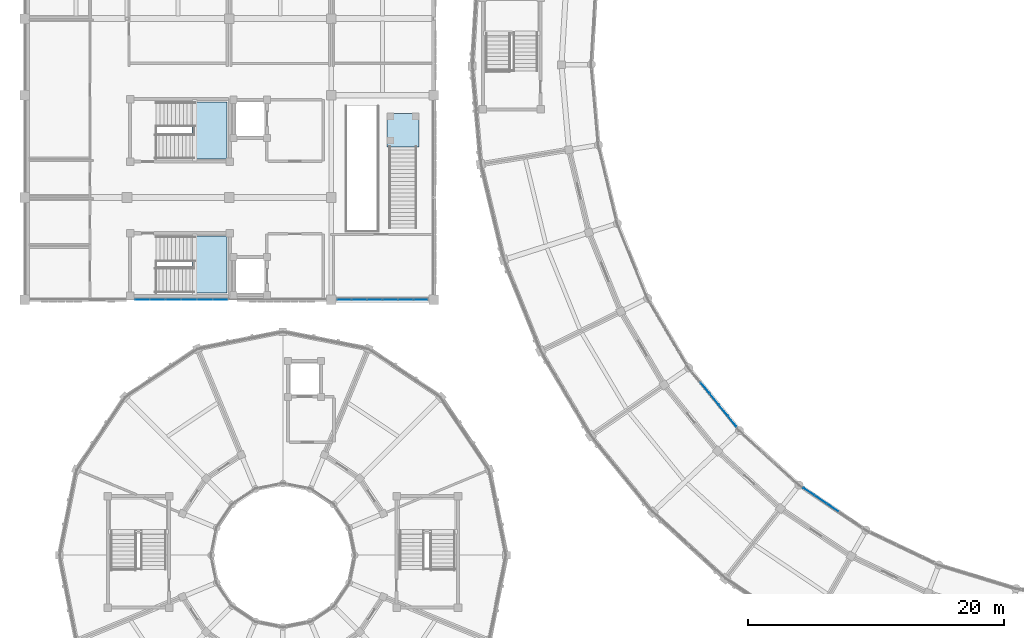
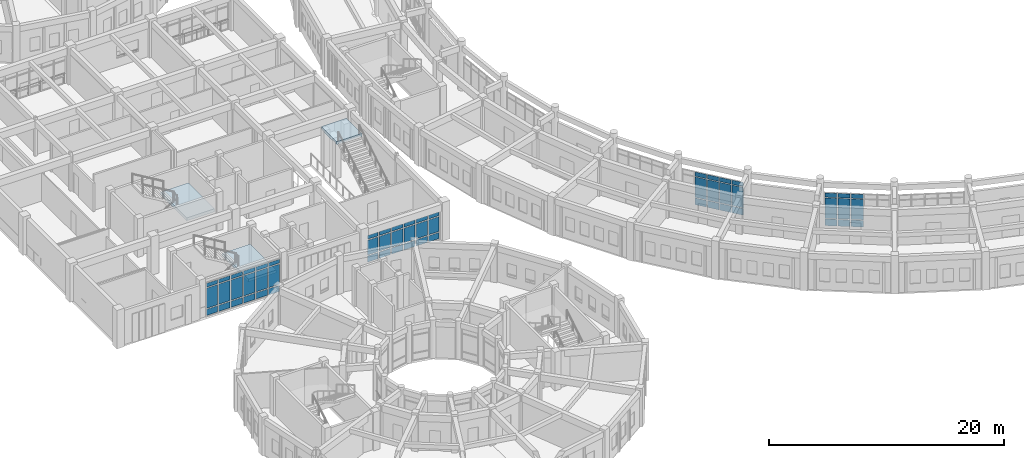
# One storey, part 103 of 159: 57 plates, 3 slabs, 7 elements without a shape of their own.
"""IFC4 building model written with IfcOpenShell, lengths in metres."""

from ifc_helpers import new_model, si_unit, direction, frame, origin, origin_2d, place, context, subcontext, project, spatial, polyline, rectangle, outline, extrude, material, layer, layer_set, type_object, element, aggregate, save


model = new_model("IFC4")

# Units and contexts
model_context = context("Model", 3, precision=1e-05, world=origin(), true_north=direction((0.0, 1.0)))
body_context = subcontext(model_context, "Body", "Model", "MODEL_VIEW")
ifc_project = project(units=[si_unit("LENGTHUNIT", "METRE"), si_unit("AREAUNIT", "SQUARE_METRE"), si_unit("VOLUMEUNIT", "CUBIC_METRE"), si_unit("PLANEANGLEUNIT", "RADIAN"), si_unit("MASSUNIT", "GRAM", prefix="KILO")], contexts=[model_context])

# Site, building, storey
site_placement = place(None, origin())
site = spatial("IfcSite", under=ifc_project, at=site_placement, CompositionType="ELEMENT")
building_placement = place(site_placement, origin())
building = spatial("IfcBuilding", under=site, at=building_placement, Name="Celadon Cloister-Ring School", CompositionType="ELEMENT")
storey_placement = place(building_placement, frame((0.0, 0.0, 4.5)))
storey = spatial("IfcBuildingStorey", under=building, at=storey_placement, Name="L01", CompositionType="ELEMENT", Elevation=4.5)

# Curtain wall, plates
ifc_material_1 = material(Name="Aluminium EN AW-6063 T6", Category="aluminium")
curtain_wall_type_1 = type_object("IfcCurtainWallType", Name="CW-14", PredefinedType="USERDEFINED", material=ifc_material_1)
curtain_wall_1_placement = place(storey_placement, origin())
curtain_wall_1 = element("IfcCurtainWall", 1, at=curtain_wall_1_placement, inside=storey, type_object=curtain_wall_type_1, Name="Curtain Wall 0197", ObjectType="CURTAIN WALL", PredefinedType="USERDEFINED")
ifc_material_2 = material(Name="Tempered laminated insulating glass", Category="glass")
ifc_layer_1 = layer(ifc_material_2, 0.02001953125)
ifc_layer_set_1 = layer_set([ifc_layer_1], Name="Tempered laminated insulating glass")
plate_type_1 = type_object("IfcPlateType", Name="CPN-01", PredefinedType="CURTAIN_PANEL", material=ifc_layer_set_1)
plate_1_placement = place(storey_placement, frame((30.993408203125, 40.0, 0.10498046875), z_axis=(0.0, 0.0, 1.0), x_axis=(-1.0, 0.0, 0.0)))
plate_1 = element("IfcPlate", 2, at=plate_1_placement, type_object=plate_type_1, Name="CW-14 panel 1.1", PredefinedType="CURTAIN_PANEL", context=body_context, shape_type="SweptSolid", body=[
    extrude(rectangle(XDim=1.043212890625, YDim=0.02001953125, at=origin_2d()), origin(), (0.0, 0.0, 1.0), 0.642578125),
])
plate_2_placement = place(storey_placement, frame((30.993408203125, 40.0, 0.8525390625), z_axis=(0.0, 0.0, 1.0), x_axis=(-1.0, 0.0, 0.0)))
plate_2 = element("IfcPlate", 3, at=plate_2_placement, type_object=plate_type_1, Name="CW-14 panel 1.2", PredefinedType="CURTAIN_PANEL", context=body_context, shape_type="SweptSolid", body=[
    extrude(rectangle(XDim=1.043212890625, YDim=0.02001953125, at=origin_2d()), origin(), (0.0, 0.0, 1.0), 1.527099609375),
])
plate_3_placement = place(storey_placement, frame((30.993408203125, 40.0, 2.484375), z_axis=(0.0, 0.0, 1.0), x_axis=(-1.0, 0.0, 0.0)))
plate_3 = element("IfcPlate", 4, at=plate_3_placement, type_object=plate_type_1, Name="CW-14 panel 1.3", PredefinedType="CURTAIN_PANEL", context=body_context, shape_type="SweptSolid", body=[
    extrude(rectangle(XDim=1.043212890625, YDim=0.02001953125, at=origin_2d()), origin(), (0.0, 0.0, 1.0), 0.392578125),
])
plate_4_placement = place(storey_placement, frame((29.8125, 40.0, 0.10498046875), z_axis=(0.0, 0.0, 1.0), x_axis=(-1.0, 0.0, 0.0)))
plate_4 = element("IfcPlate", 5, at=plate_4_placement, type_object=plate_type_1, Name="CW-14 panel 2.1", PredefinedType="CURTAIN_PANEL", context=body_context, shape_type="SweptSolid", body=[
    extrude(rectangle(XDim=1.098388671875, YDim=0.02001953125, at=origin_2d()), origin(), (0.0, 0.0, 1.0), 0.642578125),
])
plate_5_placement = place(storey_placement, frame((29.8125, 40.0, 0.8525390625), z_axis=(0.0, 0.0, 1.0), x_axis=(-1.0, 0.0, 0.0)))
plate_5 = element("IfcPlate", 6, at=plate_5_placement, type_object=plate_type_1, Name="CW-14 panel 2.2", PredefinedType="CURTAIN_PANEL", context=body_context, shape_type="SweptSolid", body=[
    extrude(rectangle(XDim=1.098388671875, YDim=0.02001953125, at=origin_2d()), origin(), (0.0, 0.0, 1.0), 1.527099609375),
])
plate_6_placement = place(storey_placement, frame((29.8125, 40.0, 2.484375), z_axis=(0.0, 0.0, 1.0), x_axis=(-1.0, 0.0, 0.0)))
plate_6 = element("IfcPlate", 7, at=plate_6_placement, type_object=plate_type_1, Name="CW-14 panel 2.3", PredefinedType="CURTAIN_PANEL", context=body_context, shape_type="SweptSolid", body=[
    extrude(rectangle(XDim=1.098388671875, YDim=0.02001953125, at=origin_2d()), origin(), (0.0, 0.0, 1.0), 0.392578125),
])
plate_7_placement = place(storey_placement, frame((28.604248046875, 40.0, 0.10498046875), z_axis=(0.0, 0.0, 1.0), x_axis=(-1.0, 0.0, 0.0)))
plate_7 = element("IfcPlate", 8, at=plate_7_placement, type_object=plate_type_1, Name="CW-14 panel 3.1", PredefinedType="CURTAIN_PANEL", context=body_context, shape_type="SweptSolid", body=[
    extrude(rectangle(XDim=1.098388671875, YDim=0.02001953125, at=origin_2d()), origin(), (0.0, 0.0, 1.0), 0.642578125),
])
plate_8_placement = place(storey_placement, frame((28.604248046875, 40.0, 0.8525390625), z_axis=(0.0, 0.0, 1.0), x_axis=(-1.0, 0.0, 0.0)))
plate_8 = element("IfcPlate", 9, at=plate_8_placement, type_object=plate_type_1, Name="CW-14 panel 3.2", PredefinedType="CURTAIN_PANEL", context=body_context, shape_type="SweptSolid", body=[
    extrude(rectangle(XDim=1.098388671875, YDim=0.02001953125, at=origin_2d()), origin(), (0.0, 0.0, 1.0), 1.527099609375),
])
plate_9_placement = place(storey_placement, frame((28.604248046875, 40.0, 2.484375), z_axis=(0.0, 0.0, 1.0), x_axis=(-1.0, 0.0, 0.0)))
plate_9 = element("IfcPlate", 10, at=plate_9_placement, type_object=plate_type_1, Name="CW-14 panel 3.3", PredefinedType="CURTAIN_PANEL", context=body_context, shape_type="SweptSolid", body=[
    extrude(rectangle(XDim=1.098388671875, YDim=0.02001953125, at=origin_2d()), origin(), (0.0, 0.0, 1.0), 0.392578125),
])
plate_10_placement = place(storey_placement, frame((27.395751953125, 40.0, 0.10498046875), z_axis=(0.0, 0.0, 1.0), x_axis=(-1.0, 0.0, 0.0)))
plate_10 = element("IfcPlate", 11, at=plate_10_placement, type_object=plate_type_1, Name="CW-14 panel 4.1", PredefinedType="CURTAIN_PANEL", context=body_context, shape_type="SweptSolid", body=[
    extrude(rectangle(XDim=1.098388671875, YDim=0.02001953125, at=origin_2d()), origin(), (0.0, 0.0, 1.0), 0.642578125),
])
plate_11_placement = place(storey_placement, frame((27.395751953125, 40.0, 0.8525390625), z_axis=(0.0, 0.0, 1.0), x_axis=(-1.0, 0.0, 0.0)))
plate_11 = element("IfcPlate", 12, at=plate_11_placement, type_object=plate_type_1, Name="CW-14 panel 4.2", PredefinedType="CURTAIN_PANEL", context=body_context, shape_type="SweptSolid", body=[
    extrude(rectangle(XDim=1.098388671875, YDim=0.02001953125, at=origin_2d()), origin(), (0.0, 0.0, 1.0), 1.527099609375),
])
plate_12_placement = place(storey_placement, frame((27.395751953125, 40.0, 2.484375), z_axis=(0.0, 0.0, 1.0), x_axis=(-1.0, 0.0, 0.0)))
plate_12 = element("IfcPlate", 13, at=plate_12_placement, type_object=plate_type_1, Name="CW-14 panel 4.3", PredefinedType="CURTAIN_PANEL", context=body_context, shape_type="SweptSolid", body=[
    extrude(rectangle(XDim=1.098388671875, YDim=0.02001953125, at=origin_2d()), origin(), (0.0, 0.0, 1.0), 0.392578125),
])
plate_13_placement = place(storey_placement, frame((26.1875, 40.0, 0.10498046875), z_axis=(0.0, 0.0, 1.0), x_axis=(-1.0, 0.0, 0.0)))
plate_13 = element("IfcPlate", 14, at=plate_13_placement, type_object=plate_type_1, Name="CW-14 panel 5.1", PredefinedType="CURTAIN_PANEL", context=body_context, shape_type="SweptSolid", body=[
    extrude(rectangle(XDim=1.098388671875, YDim=0.02001953125, at=origin_2d()), origin(), (0.0, 0.0, 1.0), 0.642578125),
])
plate_14_placement = place(storey_placement, frame((26.1875, 40.0, 0.8525390625), z_axis=(0.0, 0.0, 1.0), x_axis=(-1.0, 0.0, 0.0)))
plate_14 = element("IfcPlate", 15, at=plate_14_placement, type_object=plate_type_1, Name="CW-14 panel 5.2", PredefinedType="CURTAIN_PANEL", context=body_context, shape_type="SweptSolid", body=[
    extrude(rectangle(XDim=1.098388671875, YDim=0.02001953125, at=origin_2d()), origin(), (0.0, 0.0, 1.0), 1.527099609375),
])
plate_15_placement = place(storey_placement, frame((26.1875, 40.0, 2.484375), z_axis=(0.0, 0.0, 1.0), x_axis=(-1.0, 0.0, 0.0)))
plate_15 = element("IfcPlate", 16, at=plate_15_placement, type_object=plate_type_1, Name="CW-14 panel 5.3", PredefinedType="CURTAIN_PANEL", context=body_context, shape_type="SweptSolid", body=[
    extrude(rectangle(XDim=1.098388671875, YDim=0.02001953125, at=origin_2d()), origin(), (0.0, 0.0, 1.0), 0.392578125),
])
plate_16_placement = place(storey_placement, frame((25.006591796875, 40.0, 0.10498046875), z_axis=(0.0, 0.0, 1.0), x_axis=(-1.0, 0.0, 0.0)))
plate_16 = element("IfcPlate", 17, at=plate_16_placement, type_object=plate_type_1, Name="CW-14 panel 6.1", PredefinedType="CURTAIN_PANEL", context=body_context, shape_type="SweptSolid", body=[
    extrude(rectangle(XDim=1.043212890625, YDim=0.02001953125, at=origin_2d()), origin(), (0.0, 0.0, 1.0), 0.642578125),
])
plate_17_placement = place(storey_placement, frame((25.006591796875, 40.0, 0.8525390625), z_axis=(0.0, 0.0, 1.0), x_axis=(-1.0, 0.0, 0.0)))
plate_17 = element("IfcPlate", 18, at=plate_17_placement, type_object=plate_type_1, Name="CW-14 panel 6.2", PredefinedType="CURTAIN_PANEL", context=body_context, shape_type="SweptSolid", body=[
    extrude(rectangle(XDim=1.043212890625, YDim=0.02001953125, at=origin_2d()), origin(), (0.0, 0.0, 1.0), 1.527099609375),
])
plate_18_placement = place(storey_placement, frame((25.006591796875, 40.0, 2.484375), z_axis=(0.0, 0.0, 1.0), x_axis=(-1.0, 0.0, 0.0)))
plate_18 = element("IfcPlate", 19, at=plate_18_placement, type_object=plate_type_1, Name="CW-14 panel 6.3", PredefinedType="CURTAIN_PANEL", context=body_context, shape_type="SweptSolid", body=[
    extrude(rectangle(XDim=1.043212890625, YDim=0.02001953125, at=origin_2d()), origin(), (0.0, 0.0, 1.0), 0.392578125),
])
aggregate(curtain_wall_1, [plate_1, plate_2, plate_3, plate_4, plate_5, plate_6, plate_7, plate_8, plate_9, plate_10, plate_11, plate_12, plate_13, plate_14, plate_15, plate_16, plate_17, plate_18])

ifc_material_3 = material(Name="Aluminium EN AW-6063 T6", Category="aluminium")
curtain_wall_type_2 = type_object("IfcCurtainWallType", Name="CW-13", PredefinedType="USERDEFINED", material=ifc_material_3)
curtain_wall_2_placement = place(storey_placement, origin())
curtain_wall_2 = element("IfcCurtainWall", 20, at=curtain_wall_2_placement, inside=storey, type_object=curtain_wall_type_2, Name="Curtain Wall 0198", ObjectType="CURTAIN WALL", PredefinedType="USERDEFINED")
plate_19_placement = place(storey_placement, frame((15.296630859375, 40.0, 0.10498046875), z_axis=(0.0, 0.0, 1.0), x_axis=(-1.0, 0.0, 0.0)))
plate_19 = element("IfcPlate", 21, at=plate_19_placement, type_object=plate_type_1, Name="CW-13 panel 1.1", PredefinedType="CURTAIN_PANEL", context=body_context, shape_type="SweptSolid", body=[
    extrude(rectangle(XDim=1.066650390625, YDim=0.02001953125, at=origin_2d()), origin(), (0.0, 0.0, 1.0), 0.642578125),
])
plate_20_placement = place(storey_placement, frame((15.296630859375, 40.0, 0.8525390625), z_axis=(0.0, 0.0, 1.0), x_axis=(-1.0, 0.0, 0.0)))
plate_20 = element("IfcPlate", 22, at=plate_20_placement, type_object=plate_type_1, Name="CW-13 panel 1.2", PredefinedType="CURTAIN_PANEL", context=body_context, shape_type="SweptSolid", body=[
    extrude(rectangle(XDim=1.066650390625, YDim=0.02001953125, at=origin_2d()), origin(), (0.0, 0.0, 1.0), 2.094970703125),
])
plate_21_placement = place(storey_placement, frame((15.296630859375, 40.0, 3.052490234375), z_axis=(0.0, 0.0, 1.0), x_axis=(-1.0, 0.0, 0.0)))
plate_21 = element("IfcPlate", 23, at=plate_21_placement, type_object=plate_type_1, Name="CW-13 panel 1.3", PredefinedType="CURTAIN_PANEL", context=body_context, shape_type="SweptSolid", body=[
    extrude(rectangle(XDim=1.066650390625, YDim=0.02001953125, at=origin_2d()), origin(), (0.0, 0.0, 1.0), 0.392578125),
])
plate_22_placement = place(storey_placement, frame((14.092529296875, 40.0, 0.10498046875), z_axis=(0.0, 0.0, 1.0), x_axis=(-1.0, 0.0, 0.0)))
plate_22 = element("IfcPlate", 24, at=plate_22_placement, type_object=plate_type_1, Name="CW-13 panel 2.1", PredefinedType="CURTAIN_PANEL", context=body_context, shape_type="SweptSolid", body=[
    extrude(rectangle(XDim=1.12158203125, YDim=0.02001953125, at=origin_2d()), origin(), (0.0, 0.0, 1.0), 0.642578125),
])
plate_23_placement = place(storey_placement, frame((14.092529296875, 40.0, 0.8525390625), z_axis=(0.0, 0.0, 1.0), x_axis=(-1.0, 0.0, 0.0)))
plate_23 = element("IfcPlate", 25, at=plate_23_placement, type_object=plate_type_1, Name="CW-13 panel 2.2", PredefinedType="CURTAIN_PANEL", context=body_context, shape_type="SweptSolid", body=[
    extrude(rectangle(XDim=1.12158203125, YDim=0.02001953125, at=origin_2d()), origin(), (0.0, 0.0, 1.0), 2.094970703125),
])
plate_24_placement = place(storey_placement, frame((14.092529296875, 40.0, 3.052490234375), z_axis=(0.0, 0.0, 1.0), x_axis=(-1.0, 0.0, 0.0)))
plate_24 = element("IfcPlate", 26, at=plate_24_placement, type_object=plate_type_1, Name="CW-13 panel 2.3", PredefinedType="CURTAIN_PANEL", context=body_context, shape_type="SweptSolid", body=[
    extrude(rectangle(XDim=1.12158203125, YDim=0.02001953125, at=origin_2d()), origin(), (0.0, 0.0, 1.0), 0.392578125),
])
plate_25_placement = place(storey_placement, frame((12.86083984375, 40.0, 0.10498046875), z_axis=(0.0, 0.0, 1.0), x_axis=(-1.0, 0.0, 0.0)))
plate_25 = element("IfcPlate", 27, at=plate_25_placement, type_object=plate_type_1, Name="CW-13 panel 3.1", PredefinedType="CURTAIN_PANEL", context=body_context, shape_type="SweptSolid", body=[
    extrude(rectangle(XDim=1.12158203125, YDim=0.02001953125, at=origin_2d()), origin(), (0.0, 0.0, 1.0), 0.642578125),
])
plate_26_placement = place(storey_placement, frame((12.86083984375, 40.0, 0.8525390625), z_axis=(0.0, 0.0, 1.0), x_axis=(-1.0, 0.0, 0.0)))
plate_26 = element("IfcPlate", 28, at=plate_26_placement, type_object=plate_type_1, Name="CW-13 panel 3.2", PredefinedType="CURTAIN_PANEL", context=body_context, shape_type="SweptSolid", body=[
    extrude(rectangle(XDim=1.12158203125, YDim=0.02001953125, at=origin_2d()), origin(), (0.0, 0.0, 1.0), 2.094970703125),
])
plate_27_placement = place(storey_placement, frame((12.86083984375, 40.0, 3.052490234375), z_axis=(0.0, 0.0, 1.0), x_axis=(-1.0, 0.0, 0.0)))
plate_27 = element("IfcPlate", 29, at=plate_27_placement, type_object=plate_type_1, Name="CW-13 panel 3.3", PredefinedType="CURTAIN_PANEL", context=body_context, shape_type="SweptSolid", body=[
    extrude(rectangle(XDim=1.12158203125, YDim=0.02001953125, at=origin_2d()), origin(), (0.0, 0.0, 1.0), 0.392578125),
])
plate_28_placement = place(storey_placement, frame((11.629150390625, 40.0, 0.10498046875), z_axis=(0.0, 0.0, 1.0), x_axis=(-1.0, 0.0, 0.0)))
plate_28 = element("IfcPlate", 30, at=plate_28_placement, type_object=plate_type_1, Name="CW-13 panel 4.1", PredefinedType="CURTAIN_PANEL", context=body_context, shape_type="SweptSolid", body=[
    extrude(rectangle(XDim=1.12158203125, YDim=0.02001953125, at=origin_2d()), origin(), (0.0, 0.0, 1.0), 0.642578125),
])
plate_29_placement = place(storey_placement, frame((11.629150390625, 40.0, 0.8525390625), z_axis=(0.0, 0.0, 1.0), x_axis=(-1.0, 0.0, 0.0)))
plate_29 = element("IfcPlate", 31, at=plate_29_placement, type_object=plate_type_1, Name="CW-13 panel 4.2", PredefinedType="CURTAIN_PANEL", context=body_context, shape_type="SweptSolid", body=[
    extrude(rectangle(XDim=1.12158203125, YDim=0.02001953125, at=origin_2d()), origin(), (0.0, 0.0, 1.0), 2.094970703125),
])
plate_30_placement = place(storey_placement, frame((11.629150390625, 40.0, 3.052490234375), z_axis=(0.0, 0.0, 1.0), x_axis=(-1.0, 0.0, 0.0)))
plate_30 = element("IfcPlate", 32, at=plate_30_placement, type_object=plate_type_1, Name="CW-13 panel 4.3", PredefinedType="CURTAIN_PANEL", context=body_context, shape_type="SweptSolid", body=[
    extrude(rectangle(XDim=1.12158203125, YDim=0.02001953125, at=origin_2d()), origin(), (0.0, 0.0, 1.0), 0.392578125),
])
plate_31_placement = place(storey_placement, frame((10.3974609375, 40.0, 0.10498046875), z_axis=(0.0, 0.0, 1.0), x_axis=(-1.0, 0.0, 0.0)))
plate_31 = element("IfcPlate", 33, at=plate_31_placement, type_object=plate_type_1, Name="CW-13 panel 5.1", PredefinedType="CURTAIN_PANEL", context=body_context, shape_type="SweptSolid", body=[
    extrude(rectangle(XDim=1.12158203125, YDim=0.02001953125, at=origin_2d()), origin(), (0.0, 0.0, 1.0), 0.642578125),
])
plate_32_placement = place(storey_placement, frame((10.3974609375, 40.0, 0.8525390625), z_axis=(0.0, 0.0, 1.0), x_axis=(-1.0, 0.0, 0.0)))
plate_32 = element("IfcPlate", 34, at=plate_32_placement, type_object=plate_type_1, Name="CW-13 panel 5.2", PredefinedType="CURTAIN_PANEL", context=body_context, shape_type="SweptSolid", body=[
    extrude(rectangle(XDim=1.12158203125, YDim=0.02001953125, at=origin_2d()), origin(), (0.0, 0.0, 1.0), 2.094970703125),
])
plate_33_placement = place(storey_placement, frame((10.3974609375, 40.0, 3.052490234375), z_axis=(0.0, 0.0, 1.0), x_axis=(-1.0, 0.0, 0.0)))
plate_33 = element("IfcPlate", 35, at=plate_33_placement, type_object=plate_type_1, Name="CW-13 panel 5.3", PredefinedType="CURTAIN_PANEL", context=body_context, shape_type="SweptSolid", body=[
    extrude(rectangle(XDim=1.12158203125, YDim=0.02001953125, at=origin_2d()), origin(), (0.0, 0.0, 1.0), 0.392578125),
])
plate_34_placement = place(storey_placement, frame((9.193359375, 40.0, 0.10498046875), z_axis=(0.0, 0.0, 1.0), x_axis=(-1.0, 0.0, 0.0)))
plate_34 = element("IfcPlate", 36, at=plate_34_placement, type_object=plate_type_1, Name="CW-13 panel 6.1", PredefinedType="CURTAIN_PANEL", context=body_context, shape_type="SweptSolid", body=[
    extrude(rectangle(XDim=1.066650390625, YDim=0.02001953125, at=origin_2d()), origin(), (0.0, 0.0, 1.0), 0.642578125),
])
plate_35_placement = place(storey_placement, frame((9.193359375, 40.0, 0.8525390625), z_axis=(0.0, 0.0, 1.0), x_axis=(-1.0, 0.0, 0.0)))
plate_35 = element("IfcPlate", 37, at=plate_35_placement, type_object=plate_type_1, Name="CW-13 panel 6.2", PredefinedType="CURTAIN_PANEL", context=body_context, shape_type="SweptSolid", body=[
    extrude(rectangle(XDim=1.066650390625, YDim=0.02001953125, at=origin_2d()), origin(), (0.0, 0.0, 1.0), 2.094970703125),
])
plate_36_placement = place(storey_placement, frame((9.193359375, 40.0, 3.052490234375), z_axis=(0.0, 0.0, 1.0), x_axis=(-1.0, 0.0, 0.0)))
plate_36 = element("IfcPlate", 38, at=plate_36_placement, type_object=plate_type_1, Name="CW-13 panel 6.3", PredefinedType="CURTAIN_PANEL", context=body_context, shape_type="SweptSolid", body=[
    extrude(rectangle(XDim=1.066650390625, YDim=0.02001953125, at=origin_2d()), origin(), (0.0, 0.0, 1.0), 0.392578125),
])
aggregate(curtain_wall_2, [plate_19, plate_20, plate_21, plate_22, plate_23, plate_24, plate_25, plate_26, plate_27, plate_28, plate_29, plate_30, plate_31, plate_32, plate_33, plate_34, plate_35, plate_36])

ifc_material_4 = material(Name="Aluminium EN AW-6063 T6", Category="aluminium")
curtain_wall_type_3 = type_object("IfcCurtainWallType", Name="CW-01", PredefinedType="USERDEFINED", material=ifc_material_4)
curtain_wall_3_placement = place(storey_placement, origin())
curtain_wall_3 = element("IfcCurtainWall", 39, at=curtain_wall_3_placement, inside=storey, type_object=curtain_wall_type_3, Name="Curtain Wall 0028", ObjectType="CURTAIN WALL", PredefinedType="USERDEFINED")
ifc_material_5 = material(Name="Tempered laminated insulating glass", Category="glass")
ifc_layer_2 = layer(ifc_material_5, 0.028076171875)
ifc_layer_set_2 = layer_set([ifc_layer_2], Name="Tempered laminated insulating glass")
plate_type_2 = type_object("IfcPlateType", Name="CPN-02", PredefinedType="CURTAIN_PANEL", material=ifc_layer_set_2)
plate_37_placement = place(storey_placement, frame((53.243408203125, 33.1005859375, 0.074951171875), z_axis=(0.0, 0.0, 1.0), x_axis=(0.629416415615, -0.777068192474, 0.0)))
plate_37 = element("IfcPlate", 40, at=plate_37_placement, type_object=plate_type_2, Name="CW-01 panel 2.1", PredefinedType="CURTAIN_PANEL", context=body_context, shape_type="SweptSolid", body=[
    extrude(rectangle(XDim=1.0537109375, YDim=0.028076171875, at=origin_2d()), origin(), (0.0, 0.0, 1.0), 0.6875),
])
plate_38_placement = place(storey_placement, frame((53.243408203125, 33.1005859375, 0.83740234375), z_axis=(0.0, 0.0, 1.0), x_axis=(0.629416415615, -0.777068192474, 0.0)))
plate_38 = element("IfcPlate", 41, at=plate_38_placement, type_object=plate_type_2, Name="CW-01 panel 2.2", PredefinedType="CURTAIN_PANEL", context=body_context, shape_type="SweptSolid", body=[
    extrude(rectangle(XDim=1.0537109375, YDim=0.028076171875, at=origin_2d()), origin(), (0.0, 0.0, 1.0), 2.125),
])
plate_39_placement = place(storey_placement, frame((53.243408203125, 33.1005859375, 3.03759765625), z_axis=(0.0, 0.0, 1.0), x_axis=(0.629416415615, -0.777068192474, 0.0)))
plate_39 = element("IfcPlate", 42, at=plate_39_placement, type_object=plate_type_2, Name="CW-01 panel 2.3", PredefinedType="CURTAIN_PANEL", context=body_context, shape_type="SweptSolid", body=[
    extrude(rectangle(XDim=1.0537109375, YDim=0.028076171875, at=origin_2d()), origin(), (0.0, 0.0, 1.0), 0.4375),
])
plate_40_placement = place(storey_placement, frame((53.95703125, 32.219482421875, 0.074951171875), z_axis=(0.0, 0.0, 1.0), x_axis=(0.629416415615, -0.777068192474, 0.0)))
plate_40 = element("IfcPlate", 43, at=plate_40_placement, type_object=plate_type_2, Name="CW-01 panel 3.1", PredefinedType="CURTAIN_PANEL", context=body_context, shape_type="SweptSolid", body=[
    extrude(rectangle(XDim=1.0537109375, YDim=0.028076171875, at=origin_2d()), origin(), (0.0, 0.0, 1.0), 0.6875),
])
plate_41_placement = place(storey_placement, frame((53.95703125, 32.219482421875, 0.83740234375), z_axis=(0.0, 0.0, 1.0), x_axis=(0.629416415615, -0.777068192474, 0.0)))
plate_41 = element("IfcPlate", 44, at=plate_41_placement, type_object=plate_type_2, Name="CW-01 panel 3.2", PredefinedType="CURTAIN_PANEL", context=body_context, shape_type="SweptSolid", body=[
    extrude(rectangle(XDim=1.0537109375, YDim=0.028076171875, at=origin_2d()), origin(), (0.0, 0.0, 1.0), 2.125),
])
plate_42_placement = place(storey_placement, frame((53.95703125, 32.219482421875, 3.03759765625), z_axis=(0.0, 0.0, 1.0), x_axis=(0.629416415615, -0.777068192474, 0.0)))
plate_42 = element("IfcPlate", 45, at=plate_42_placement, type_object=plate_type_2, Name="CW-01 panel 3.3", PredefinedType="CURTAIN_PANEL", context=body_context, shape_type="SweptSolid", body=[
    extrude(rectangle(XDim=1.0537109375, YDim=0.028076171875, at=origin_2d()), origin(), (0.0, 0.0, 1.0), 0.4375),
])
plate_43_placement = place(storey_placement, frame((54.670654296875, 31.33837890625, 0.074951171875), z_axis=(0.0, 0.0, 1.0), x_axis=(0.629416415615, -0.777068192474, 0.0)))
plate_43 = element("IfcPlate", 46, at=plate_43_placement, type_object=plate_type_2, Name="CW-01 panel 4.1", PredefinedType="CURTAIN_PANEL", context=body_context, shape_type="SweptSolid", body=[
    extrude(rectangle(XDim=1.0537109375, YDim=0.028076171875, at=origin_2d()), origin(), (0.0, 0.0, 1.0), 0.6875),
])
plate_44_placement = place(storey_placement, frame((54.670654296875, 31.33837890625, 0.83740234375), z_axis=(0.0, 0.0, 1.0), x_axis=(0.629416415615, -0.777068192474, 0.0)))
plate_44 = element("IfcPlate", 47, at=plate_44_placement, type_object=plate_type_2, Name="CW-01 panel 4.2", PredefinedType="CURTAIN_PANEL", context=body_context, shape_type="SweptSolid", body=[
    extrude(rectangle(XDim=1.0537109375, YDim=0.028076171875, at=origin_2d()), origin(), (0.0, 0.0, 1.0), 2.125),
])
plate_45_placement = place(storey_placement, frame((54.670654296875, 31.33837890625, 3.03759765625), z_axis=(0.0, 0.0, 1.0), x_axis=(0.629416415615, -0.777068192474, 0.0)))
plate_45 = element("IfcPlate", 48, at=plate_45_placement, type_object=plate_type_2, Name="CW-01 panel 4.3", PredefinedType="CURTAIN_PANEL", context=body_context, shape_type="SweptSolid", body=[
    extrude(rectangle(XDim=1.0537109375, YDim=0.028076171875, at=origin_2d()), origin(), (0.0, 0.0, 1.0), 0.4375),
])
plate_46_placement = place(storey_placement, frame((55.37158203125, 30.47314453125, 0.074951171875), z_axis=(0.0, 0.0, 1.0), x_axis=(0.629416415615, -0.777068192474, 0.0)))
plate_46 = element("IfcPlate", 49, at=plate_46_placement, type_object=plate_type_2, Name="CW-01 panel 5.1", PredefinedType="CURTAIN_PANEL", context=body_context, shape_type="SweptSolid", body=[
    extrude(rectangle(XDim=1.013671875, YDim=0.028076171875, at=origin_2d()), origin(), (0.0, 0.0, 1.0), 0.6875),
])
plate_47_placement = place(storey_placement, frame((55.37158203125, 30.47314453125, 0.83740234375), z_axis=(0.0, 0.0, 1.0), x_axis=(0.629416415615, -0.777068192474, 0.0)))
plate_47 = element("IfcPlate", 50, at=plate_47_placement, type_object=plate_type_2, Name="CW-01 panel 5.2", PredefinedType="CURTAIN_PANEL", context=body_context, shape_type="SweptSolid", body=[
    extrude(rectangle(XDim=1.013671875, YDim=0.028076171875, at=origin_2d()), origin(), (0.0, 0.0, 1.0), 2.125),
])
plate_48_placement = place(storey_placement, frame((55.37158203125, 30.47314453125, 3.03759765625), z_axis=(0.0, 0.0, 1.0), x_axis=(0.629416415615, -0.777068192474, 0.0)))
plate_48 = element("IfcPlate", 51, at=plate_48_placement, type_object=plate_type_2, Name="CW-01 panel 5.3", PredefinedType="CURTAIN_PANEL", context=body_context, shape_type="SweptSolid", body=[
    extrude(rectangle(XDim=1.013671875, YDim=0.028076171875, at=origin_2d()), origin(), (0.0, 0.0, 1.0), 0.4375),
])
aggregate(curtain_wall_3, [plate_37, plate_38, plate_39, plate_40, plate_41, plate_42, plate_43, plate_44, plate_45, plate_46, plate_47, plate_48])

curtain_wall_4_placement = place(storey_placement, origin())
curtain_wall_4 = element("IfcCurtainWall", 52, at=curtain_wall_4_placement, inside=storey, type_object=curtain_wall_type_3, Name="Curtain Wall 0029", ObjectType="CURTAIN WALL", PredefinedType="USERDEFINED")
plate_49_placement = place(storey_placement, frame((61.361572265625, 24.988037109375, 0.074951171875), z_axis=(0.0, 0.0, 1.0), x_axis=(0.829271759206, -0.558845550563, 0.0)))
plate_49 = element("IfcPlate", 53, at=plate_49_placement, type_object=plate_type_2, Name="CW-01 panel 1.1", PredefinedType="CURTAIN_PANEL", context=body_context, shape_type="SweptSolid", body=[
    extrude(rectangle(XDim=1.013671875, YDim=0.028076171875, at=origin_2d()), origin(), (0.0, 0.0, 1.0), 0.6875),
])
plate_50_placement = place(storey_placement, frame((61.361572265625, 24.988037109375, 0.83740234375), z_axis=(0.0, 0.0, 1.0), x_axis=(0.829271759206, -0.558845550563, 0.0)))
plate_50 = element("IfcPlate", 54, at=plate_50_placement, type_object=plate_type_2, Name="CW-01 panel 1.2", PredefinedType="CURTAIN_PANEL", context=body_context, shape_type="SweptSolid", body=[
    extrude(rectangle(XDim=1.013671875, YDim=0.028076171875, at=origin_2d()), origin(), (0.0, 0.0, 1.0), 2.125),
])
plate_51_placement = place(storey_placement, frame((61.361572265625, 24.988037109375, 3.03759765625), z_axis=(0.0, 0.0, 1.0), x_axis=(0.829271759206, -0.558845550563, 0.0)))
plate_51 = element("IfcPlate", 55, at=plate_51_placement, type_object=plate_type_2, Name="CW-01 panel 1.3", PredefinedType="CURTAIN_PANEL", context=body_context, shape_type="SweptSolid", body=[
    extrude(rectangle(XDim=1.013671875, YDim=0.028076171875, at=origin_2d()), origin(), (0.0, 0.0, 1.0), 0.4375),
])
plate_52_placement = place(storey_placement, frame((62.285400390625, 24.365478515625, 0.074951171875), z_axis=(0.0, 0.0, 1.0), x_axis=(0.829271759206, -0.558845550563, 0.0)))
plate_52 = element("IfcPlate", 56, at=plate_52_placement, type_object=plate_type_2, Name="CW-01 panel 2.1", PredefinedType="CURTAIN_PANEL", context=body_context, shape_type="SweptSolid", body=[
    extrude(rectangle(XDim=1.0537109375, YDim=0.028076171875, at=origin_2d()), origin(), (0.0, 0.0, 1.0), 0.6875),
])
plate_53_placement = place(storey_placement, frame((62.285400390625, 24.365478515625, 0.83740234375), z_axis=(0.0, 0.0, 1.0), x_axis=(0.829271759206, -0.558845550563, 0.0)))
plate_53 = element("IfcPlate", 57, at=plate_53_placement, type_object=plate_type_2, Name="CW-01 panel 2.2", PredefinedType="CURTAIN_PANEL", context=body_context, shape_type="SweptSolid", body=[
    extrude(rectangle(XDim=1.0537109375, YDim=0.028076171875, at=origin_2d()), origin(), (0.0, 0.0, 1.0), 2.125),
])
plate_54_placement = place(storey_placement, frame((62.285400390625, 24.365478515625, 3.03759765625), z_axis=(0.0, 0.0, 1.0), x_axis=(0.829271759206, -0.558845550563, 0.0)))
plate_54 = element("IfcPlate", 58, at=plate_54_placement, type_object=plate_type_2, Name="CW-01 panel 2.3", PredefinedType="CURTAIN_PANEL", context=body_context, shape_type="SweptSolid", body=[
    extrude(rectangle(XDim=1.0537109375, YDim=0.028076171875, at=origin_2d()), origin(), (0.0, 0.0, 1.0), 0.4375),
])
plate_55_placement = place(storey_placement, frame((63.2255859375, 23.73193359375, 0.074951171875), z_axis=(0.0, 0.0, 1.0), x_axis=(0.829271759206, -0.558845550563, 0.0)))
plate_55 = element("IfcPlate", 59, at=plate_55_placement, type_object=plate_type_2, Name="CW-01 panel 3.1", PredefinedType="CURTAIN_PANEL", context=body_context, shape_type="SweptSolid", body=[
    extrude(rectangle(XDim=1.0537109375, YDim=0.028076171875, at=origin_2d()), origin(), (0.0, 0.0, 1.0), 0.6875),
])
plate_56_placement = place(storey_placement, frame((63.2255859375, 23.73193359375, 0.83740234375), z_axis=(0.0, 0.0, 1.0), x_axis=(0.829271759206, -0.558845550563, 0.0)))
plate_56 = element("IfcPlate", 60, at=plate_56_placement, type_object=plate_type_2, Name="CW-01 panel 3.2", PredefinedType="CURTAIN_PANEL", context=body_context, shape_type="SweptSolid", body=[
    extrude(rectangle(XDim=1.0537109375, YDim=0.028076171875, at=origin_2d()), origin(), (0.0, 0.0, 1.0), 2.125),
])
plate_57_placement = place(storey_placement, frame((63.2255859375, 23.73193359375, 3.03759765625), z_axis=(0.0, 0.0, 1.0), x_axis=(0.829271759206, -0.558845550563, 0.0)))
plate_57 = element("IfcPlate", 61, at=plate_57_placement, type_object=plate_type_2, Name="CW-01 panel 3.3", PredefinedType="CURTAIN_PANEL", context=body_context, shape_type="SweptSolid", body=[
    extrude(rectangle(XDim=1.0537109375, YDim=0.028076171875, at=origin_2d()), origin(), (0.0, 0.0, 1.0), 0.4375),
])
aggregate(curtain_wall_4, [plate_49, plate_50, plate_51, plate_52, plate_53, plate_54, plate_55, plate_56, plate_57])

# Stair, slab
ifc_material_6 = material(Name="Concrete C35/45", Category="concrete")
stair_type_1 = type_object("IfcStairType", Name="ST-02", PredefinedType="HALF_TURN_STAIR", material=ifc_material_6)
stair_1_placement = place(storey_placement, origin())
stair_1 = element("IfcStair", 62, at=stair_1_placement, inside=storey, type_object=stair_type_1, Name="Exit Stair ST-V5A L01", PredefinedType="HALF_TURN_STAIR")
ifc_material_7 = material(Name="Concrete C35/45", Category="concrete")
ifc_layer_3 = layer(ifc_material_7, 0.280029296875)
ifc_layer_set_3 = layer_set([ifc_layer_3], Name="Concrete C35/45")
slab_type_1 = type_object("IfcSlabType", Name="SL-LD1", PredefinedType="LANDING", material=ifc_layer_set_3)
slab_1_placement = place(storey_placement, frame((0.0, 0.0, 1.719970703125)))
slab_1 = element("IfcSlab", 63, at=slab_1_placement, type_object=slab_type_1, Name="ST-02 landing 1", PredefinedType="LANDING", context=body_context, shape_type="SweptSolid", body=[
    extrude(outline(polyline([(13.080078125, 40.52001953125), (15.830078125, 40.52001953125), (15.830078125, 44.97998046875), (13.080078125, 44.97998046875), (13.080078125, 40.52001953125)])), origin(), (0.0, 0.0, 1.0), 0.280029296875),
])
aggregate(stair_1, [slab_1])

ifc_material_8 = material(Name="Concrete C35/45", Category="concrete")
stair_type_2 = type_object("IfcStairType", Name="ST-04", PredefinedType="HALF_TURN_STAIR", material=ifc_material_8)
stair_2_placement = place(storey_placement, origin())
stair_2 = element("IfcStair", 64, at=stair_2_placement, inside=storey, type_object=stair_type_2, Name="Exit Stair ST-V5B L01", PredefinedType="HALF_TURN_STAIR")
ifc_material_9 = material(Name="Concrete C35/45", Category="concrete")
ifc_layer_4 = layer(ifc_material_9, 0.300048828125)
ifc_layer_set_4 = layer_set([ifc_layer_4], Name="Concrete C35/45")
slab_type_2 = type_object("IfcSlabType", Name="SL-LD2", PredefinedType="LANDING", material=ifc_layer_set_4)
slab_2_placement = place(storey_placement, frame((0.0, 0.0, 1.699951171875)))
slab_2 = element("IfcSlab", 65, at=slab_2_placement, type_object=slab_type_2, Name="ST-04 landing 1", PredefinedType="LANDING", context=body_context, shape_type="SweptSolid", body=[
    extrude(outline(polyline([(13.080078125, 51.02001953125), (15.830078125, 51.02001953125), (15.830078125, 55.47998046875), (13.080078125, 55.47998046875), (13.080078125, 51.02001953125)])), origin(), (0.0, 0.0, 1.0), 0.300048828125),
])
aggregate(stair_2, [slab_2])

ifc_material_10 = material(Name="Concrete C35/45", Category="concrete")
stair_type_3 = type_object("IfcStairType", Name="ST-06", PredefinedType="STRAIGHT_RUN_STAIR", material=ifc_material_10)
stair_3_placement = place(storey_placement, origin())
stair_3 = element("IfcStair", 66, at=stair_3_placement, inside=storey, type_object=stair_type_3, Name="Science Upper Gallery Stair", PredefinedType="STRAIGHT_RUN_STAIR")
slab_3_placement = place(storey_placement, frame((0.0, 0.0, 3.699951171875)))
slab_3 = element("IfcSlab", 67, at=slab_3_placement, type_object=slab_type_2, Name="ST-06 landing 1", PredefinedType="LANDING", context=body_context, shape_type="SweptSolid", body=[
    extrude(outline(polyline([(28.360107421875, 51.965087890625), (30.840087890625, 51.965087890625), (30.840087890625, 54.590087890625), (28.360107421875, 54.590087890625), (28.360107421875, 51.965087890625)])), origin(), (0.0, 0.0, 1.0), 0.300048828125),
])
aggregate(stair_3, [slab_3])

save(model, "model.ifc")
